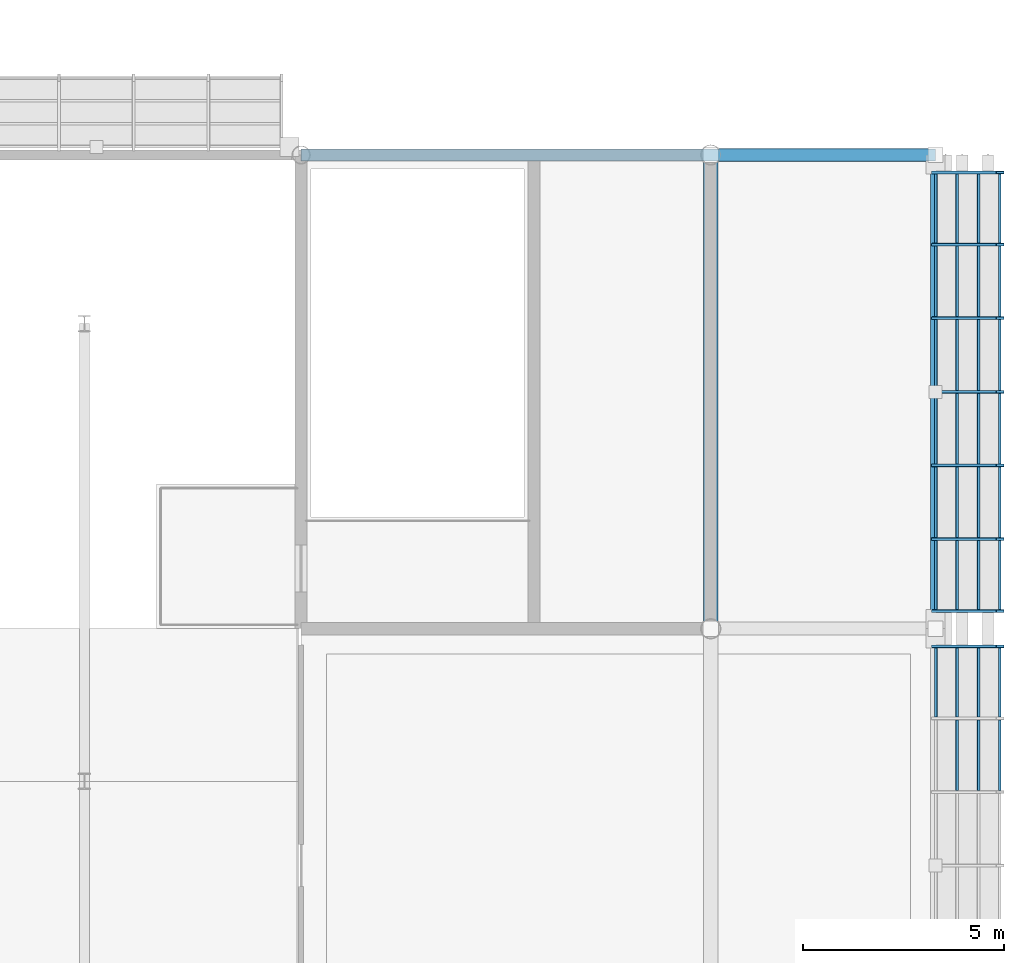
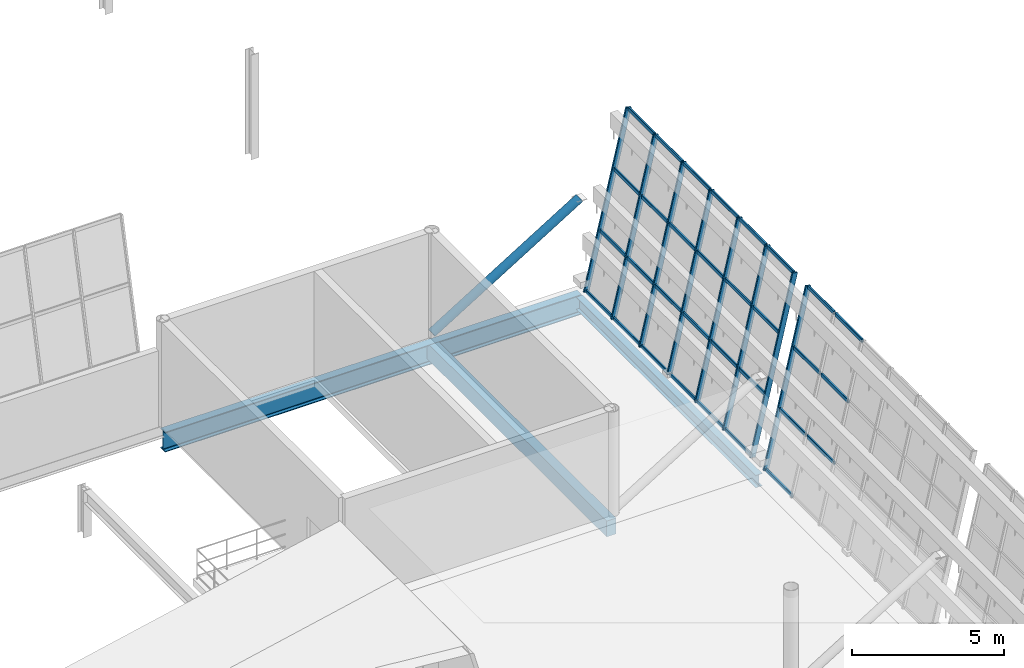
# One storey, part 85 of 157: 40 members, 3 beams, 2 elements without a shape of their own.
"""IFC4 building model written with IfcOpenShell, lengths in metres."""

from ifc_helpers import new_model, si_unit, direction, frame, origin, origin_2d, place, context, subcontext, project, spatial, rectangle, hollow_rectangle, hollow_circle, i_section, extrude, material, material_profile, profile_set, type_object, element, aggregate, save


model = new_model("IFC4")

# Units and contexts
model_context = context("Model", 3, precision=1e-05, world=origin(), true_north=direction((0.0, 1.0)))
body_context = subcontext(model_context, "Body", "Model", "MODEL_VIEW")
ifc_project = project(units=[si_unit("LENGTHUNIT", "METRE"), si_unit("AREAUNIT", "SQUARE_METRE"), si_unit("VOLUMEUNIT", "CUBIC_METRE"), si_unit("PLANEANGLEUNIT", "RADIAN"), si_unit("MASSUNIT", "GRAM", prefix="KILO")], contexts=[model_context])

# Site, building, storey
site_placement = place(None, origin())
site = spatial("IfcSite", under=ifc_project, at=site_placement, CompositionType="ELEMENT")
building_placement = place(site_placement, origin())
building = spatial("IfcBuilding", under=site, at=building_placement, Name="Brelvane Convention Centre", CompositionType="ELEMENT")
storey_placement = place(building_placement, frame((0.0, 0.0, 10.800048828125)))
storey = spatial("IfcBuildingStorey", under=building, at=storey_placement, Name="L02", CompositionType="ELEMENT", Elevation=10.800048828125)

# Curtain wall, member
ifc_material_1 = material(Name="Anodised Aluminium Alloy 6063-T6", Category="aluminium")
curtain_wall_type = type_object("IfcCurtainWallType", Name="Curtain Wall CW-PLEN-E", PredefinedType="USERDEFINED", material=ifc_material_1)
curtain_wall_1_placement = place(storey_placement, origin())
curtain_wall_1 = element("IfcCurtainWall", 1, at=curtain_wall_1_placement, inside=storey, type_object=curtain_wall_type, Name="Curtain Wall CW-PLEN-E L02-HULL-E-L02-5", ObjectType="UNITISED", PredefinedType="USERDEFINED")
ifc_material_2 = material(Name="Anodised Aluminium Alloy 6063-T6", Category="aluminium")
ifc_material_profile_1 = material_profile(ifc_material_2, hollow_rectangle(XDim=0.074951171875, YDim=0.199951171875, WallThickness=0.0048828125, InnerFilletRadius=0.0048828125, OuterFilletRadius=0.010009765625, at=origin_2d()), Name="ALU-M 200x75x5.0")
ifc_profile_set_1 = profile_set([ifc_material_profile_1], Name="Anodised Aluminium Alloy 6063-T6")
member_type_1 = type_object("IfcMemberType", Name="Curtain Mullion CW-M2", PredefinedType="MULLION", material=ifc_profile_set_1)
member_1_placement = place(storey_placement, frame((230.0, 75.5625, 0.0), z_axis=(0.228360410362, 0.0, 0.973576665178), x_axis=(0.0, 1.0, 0.0)))
member_1 = element("IfcMember", 2, at=member_1_placement, type_object=member_type_1, Name="CW-PLEN-E mullion 7", PredefinedType="MULLION", context=body_context, shape_type="SweptSolid", body=[
    extrude(hollow_rectangle(XDim=0.074951171875, YDim=0.199951171875, WallThickness=0.0048828125, InnerFilletRadius=0.0048828125, OuterFilletRadius=0.010009765625, at=origin_2d()), origin(), (0.0, 0.0, 1.0), 7.03564453125),
])

# Curtain wall, members
curtain_wall_2_placement = place(storey_placement, origin())
curtain_wall_2 = element("IfcCurtainWall", 3, at=curtain_wall_2_placement, inside=storey, type_object=curtain_wall_type, Name="Curtain Wall CW-PLEN-E L02-HULL-E-L02-6", ObjectType="UNITISED", PredefinedType="USERDEFINED")
member_2_placement = place(storey_placement, frame((230.0, 76.4375, 0.0), z_axis=(0.228360410362, 0.0, 0.973576665178), x_axis=(0.0, 1.0, 0.0)))
member_2 = element("IfcMember", 4, at=member_2_placement, type_object=member_type_1, Name="CW-PLEN-E mullion 1", PredefinedType="MULLION", context=body_context, shape_type="SweptSolid", body=[
    extrude(hollow_rectangle(XDim=0.074951171875, YDim=0.199951171875, WallThickness=0.0048828125, InnerFilletRadius=0.0048828125, OuterFilletRadius=0.010009765625, at=origin_2d()), origin(), (0.0, 0.0, 1.0), 7.03564453125),
])
member_3_placement = place(storey_placement, frame((230.0, 78.2333984375, 0.0), z_axis=(0.228360410362, 0.0, 0.973576665178), x_axis=(0.0, 1.0, 0.0)))
member_3 = element("IfcMember", 5, at=member_3_placement, type_object=member_type_1, Name="CW-PLEN-E mullion 2", PredefinedType="MULLION", context=body_context, shape_type="SweptSolid", body=[
    extrude(hollow_rectangle(XDim=0.074951171875, YDim=0.199951171875, WallThickness=0.0048828125, InnerFilletRadius=0.0048828125, OuterFilletRadius=0.010009765625, at=origin_2d()), origin(), (0.0, 0.0, 1.0), 7.03564453125),
])
member_4_placement = place(storey_placement, frame((230.0, 80.066650390625, 0.0), z_axis=(0.228360410362, 0.0, 0.973576665178), x_axis=(0.0, 1.0, 0.0)))
member_4 = element("IfcMember", 6, at=member_4_placement, type_object=member_type_1, Name="CW-PLEN-E mullion 3", PredefinedType="MULLION", context=body_context, shape_type="SweptSolid", body=[
    extrude(hollow_rectangle(XDim=0.074951171875, YDim=0.199951171875, WallThickness=0.0048828125, InnerFilletRadius=0.0048828125, OuterFilletRadius=0.010009765625, at=origin_2d()), origin(), (0.0, 0.0, 1.0), 7.03564453125),
])
member_5_placement = place(storey_placement, frame((230.0, 81.89990234375, 0.0), z_axis=(0.228360410362, 0.0, 0.973576665178), x_axis=(0.0, 1.0, 0.0)))
member_5 = element("IfcMember", 7, at=member_5_placement, type_object=member_type_1, Name="CW-PLEN-E mullion 4", PredefinedType="MULLION", context=body_context, shape_type="SweptSolid", body=[
    extrude(hollow_rectangle(XDim=0.074951171875, YDim=0.199951171875, WallThickness=0.0048828125, InnerFilletRadius=0.0048828125, OuterFilletRadius=0.010009765625, at=origin_2d()), origin(), (0.0, 0.0, 1.0), 7.03564453125),
])
member_6_placement = place(storey_placement, frame((230.0, 83.7333984375, 0.0), z_axis=(0.228360410362, 0.0, 0.973576665178), x_axis=(0.0, 1.0, 0.0)))
member_6 = element("IfcMember", 8, at=member_6_placement, type_object=member_type_1, Name="CW-PLEN-E mullion 5", PredefinedType="MULLION", context=body_context, shape_type="SweptSolid", body=[
    extrude(hollow_rectangle(XDim=0.074951171875, YDim=0.199951171875, WallThickness=0.0048828125, InnerFilletRadius=0.0048828125, OuterFilletRadius=0.010009765625, at=origin_2d()), origin(), (0.0, 0.0, 1.0), 7.03564453125),
])
member_7_placement = place(storey_placement, frame((230.0, 85.566650390625, 0.0), z_axis=(0.228360410362, 0.0, 0.973576665178), x_axis=(0.0, 1.0, 0.0)))
member_7 = element("IfcMember", 9, at=member_7_placement, type_object=member_type_1, Name="CW-PLEN-E mullion 6", PredefinedType="MULLION", context=body_context, shape_type="SweptSolid", body=[
    extrude(hollow_rectangle(XDim=0.074951171875, YDim=0.199951171875, WallThickness=0.0048828125, InnerFilletRadius=0.0048828125, OuterFilletRadius=0.010009765625, at=origin_2d()), origin(), (0.0, 0.0, 1.0), 7.03564453125),
])
member_8_placement = place(storey_placement, frame((230.0, 87.362548828125, 0.0), z_axis=(0.228360410362, 0.0, 0.973576665178), x_axis=(0.0, 1.0, 0.0)))
member_8 = element("IfcMember", 10, at=member_8_placement, type_object=member_type_1, Name="CW-PLEN-E mullion 7", PredefinedType="MULLION", context=body_context, shape_type="SweptSolid", body=[
    extrude(hollow_rectangle(XDim=0.074951171875, YDim=0.199951171875, WallThickness=0.0048828125, InnerFilletRadius=0.0048828125, OuterFilletRadius=0.010009765625, at=origin_2d()), origin(), (0.0, 0.0, 1.0), 7.03564453125),
])

# Member
ifc_material_3 = material(Name="Anodised Aluminium Alloy 6063-T6", Category="aluminium")
ifc_material_profile_2 = material_profile(ifc_material_3, hollow_rectangle(XDim=0.070068359375, YDim=0.14990234375, WallThickness=0.00439453125, InnerFilletRadius=0.00439453125, OuterFilletRadius=0.009033203125, at=origin_2d()), Name="ALU-T 150x70x4.5")
ifc_profile_set_2 = profile_set([ifc_material_profile_2], Name="Anodised Aluminium Alloy 6063-T6")
member_type_2 = type_object("IfcMemberType", Name="Curtain Transom CW-T2", PredefinedType="USERDEFINED", material=ifc_profile_set_2)
member_9_placement = place(storey_placement, frame((230.53564453125, 71.970947265625, 2.283203125), z_axis=(0.0, 1.0, 0.0), x_axis=(-1.0, 0.0, 0.0)))
member_9 = element("IfcMember", 11, at=member_9_placement, type_object=member_type_2, Name="CW-PLEN-E transom 5.2", ObjectType="TRANSOM", PredefinedType="USERDEFINED", context=body_context, shape_type="SweptSolid", body=[
    extrude(hollow_rectangle(XDim=0.070068359375, YDim=0.14990234375, WallThickness=0.00439453125, InnerFilletRadius=0.00439453125, OuterFilletRadius=0.009033203125, at=origin_2d()), origin(), (0.0, 0.0, 1.0), 1.75830078125),
])

member_10_placement = place(storey_placement, frame((231.071044921875, 71.970947265625, 4.566650390625), z_axis=(0.0, 1.0, 0.0), x_axis=(-1.0, 0.0, 0.0)))
member_10 = element("IfcMember", 12, at=member_10_placement, type_object=member_type_2, Name="CW-PLEN-E transom 5.3", ObjectType="TRANSOM", PredefinedType="USERDEFINED", context=body_context, shape_type="SweptSolid", body=[
    extrude(hollow_rectangle(XDim=0.070068359375, YDim=0.14990234375, WallThickness=0.00439453125, InnerFilletRadius=0.00439453125, OuterFilletRadius=0.009033203125, at=origin_2d()), origin(), (0.0, 0.0, 1.0), 1.75830078125),
])

member_11_placement = place(storey_placement, frame((231.598388671875, 71.970947265625, 6.81494140625), z_axis=(0.0, 1.0, 0.0), x_axis=(-1.0, 0.0, 0.0)))
member_11 = element("IfcMember", 13, at=member_11_placement, type_object=member_type_2, Name="CW-PLEN-E transom 5.4", ObjectType="TRANSOM", PredefinedType="USERDEFINED", context=body_context, shape_type="SweptSolid", body=[
    extrude(hollow_rectangle(XDim=0.070068359375, YDim=0.14990234375, WallThickness=0.00439453125, InnerFilletRadius=0.00439453125, OuterFilletRadius=0.009033203125, at=origin_2d()), origin(), (0.0, 0.0, 1.0), 1.75830078125),
])

member_12_placement = place(storey_placement, frame((230.00830078125, 73.80419921875, 0.034912109375), z_axis=(0.0, 1.0, 0.0), x_axis=(-1.0, 0.0, 0.0)))
member_12 = element("IfcMember", 14, at=member_12_placement, type_object=member_type_2, Name="CW-PLEN-E transom 6.1", ObjectType="TRANSOM", PredefinedType="USERDEFINED", context=body_context, shape_type="SweptSolid", body=[
    extrude(hollow_rectangle(XDim=0.070068359375, YDim=0.14990234375, WallThickness=0.00439453125, InnerFilletRadius=0.00439453125, OuterFilletRadius=0.009033203125, at=origin_2d()), origin(), (0.0, 0.0, 1.0), 1.720703125),
])

member_13_placement = place(storey_placement, frame((230.53564453125, 73.80419921875, 2.283203125), z_axis=(0.0, 1.0, 0.0), x_axis=(-1.0, 0.0, 0.0)))
member_13 = element("IfcMember", 15, at=member_13_placement, type_object=member_type_2, Name="CW-PLEN-E transom 6.2", ObjectType="TRANSOM", PredefinedType="USERDEFINED", context=body_context, shape_type="SweptSolid", body=[
    extrude(hollow_rectangle(XDim=0.070068359375, YDim=0.14990234375, WallThickness=0.00439453125, InnerFilletRadius=0.00439453125, OuterFilletRadius=0.009033203125, at=origin_2d()), origin(), (0.0, 0.0, 1.0), 1.720703125),
])

member_14_placement = place(storey_placement, frame((231.071044921875, 73.80419921875, 4.566650390625), z_axis=(0.0, 1.0, 0.0), x_axis=(-1.0, 0.0, 0.0)))
member_14 = element("IfcMember", 16, at=member_14_placement, type_object=member_type_2, Name="CW-PLEN-E transom 6.3", ObjectType="TRANSOM", PredefinedType="USERDEFINED", context=body_context, shape_type="SweptSolid", body=[
    extrude(hollow_rectangle(XDim=0.070068359375, YDim=0.14990234375, WallThickness=0.00439453125, InnerFilletRadius=0.00439453125, OuterFilletRadius=0.009033203125, at=origin_2d()), origin(), (0.0, 0.0, 1.0), 1.720703125),
])

member_15_placement = place(storey_placement, frame((231.598388671875, 73.80419921875, 6.81494140625), z_axis=(0.0, 1.0, 0.0), x_axis=(-1.0, 0.0, 0.0)))
member_15 = element("IfcMember", 17, at=member_15_placement, type_object=member_type_2, Name="CW-PLEN-E transom 6.4", ObjectType="TRANSOM", PredefinedType="USERDEFINED", context=body_context, shape_type="SweptSolid", body=[
    extrude(hollow_rectangle(XDim=0.070068359375, YDim=0.14990234375, WallThickness=0.00439453125, InnerFilletRadius=0.00439453125, OuterFilletRadius=0.009033203125, at=origin_2d()), origin(), (0.0, 0.0, 1.0), 1.720703125),
])

aggregate(curtain_wall_1, [member_1, member_9, member_10, member_11, member_12, member_13, member_14, member_15])

member_16_placement = place(storey_placement, frame((230.00830078125, 76.47509765625, 0.034912109375), z_axis=(0.0, 1.0, 0.0), x_axis=(-1.0, 0.0, 0.0)))
member_16 = element("IfcMember", 18, at=member_16_placement, type_object=member_type_2, Name="CW-PLEN-E transom 1.1", ObjectType="TRANSOM", PredefinedType="USERDEFINED", context=body_context, shape_type="SweptSolid", body=[
    extrude(hollow_rectangle(XDim=0.070068359375, YDim=0.14990234375, WallThickness=0.00439453125, InnerFilletRadius=0.00439453125, OuterFilletRadius=0.009033203125, at=origin_2d()), origin(), (0.0, 0.0, 1.0), 1.720703125),
])

member_17_placement = place(storey_placement, frame((230.53564453125, 76.47509765625, 2.283203125), z_axis=(0.0, 1.0, 0.0), x_axis=(-1.0, 0.0, 0.0)))
member_17 = element("IfcMember", 19, at=member_17_placement, type_object=member_type_2, Name="CW-PLEN-E transom 1.2", ObjectType="TRANSOM", PredefinedType="USERDEFINED", context=body_context, shape_type="SweptSolid", body=[
    extrude(hollow_rectangle(XDim=0.070068359375, YDim=0.14990234375, WallThickness=0.00439453125, InnerFilletRadius=0.00439453125, OuterFilletRadius=0.009033203125, at=origin_2d()), origin(), (0.0, 0.0, 1.0), 1.720703125),
])

member_18_placement = place(storey_placement, frame((231.071044921875, 76.47509765625, 4.566650390625), z_axis=(0.0, 1.0, 0.0), x_axis=(-1.0, 0.0, 0.0)))
member_18 = element("IfcMember", 20, at=member_18_placement, type_object=member_type_2, Name="CW-PLEN-E transom 1.3", ObjectType="TRANSOM", PredefinedType="USERDEFINED", context=body_context, shape_type="SweptSolid", body=[
    extrude(hollow_rectangle(XDim=0.070068359375, YDim=0.14990234375, WallThickness=0.00439453125, InnerFilletRadius=0.00439453125, OuterFilletRadius=0.009033203125, at=origin_2d()), origin(), (0.0, 0.0, 1.0), 1.720703125),
])

member_19_placement = place(storey_placement, frame((231.598388671875, 76.47509765625, 6.81494140625), z_axis=(0.0, 1.0, 0.0), x_axis=(-1.0, 0.0, 0.0)))
member_19 = element("IfcMember", 21, at=member_19_placement, type_object=member_type_2, Name="CW-PLEN-E transom 1.4", ObjectType="TRANSOM", PredefinedType="USERDEFINED", context=body_context, shape_type="SweptSolid", body=[
    extrude(hollow_rectangle(XDim=0.070068359375, YDim=0.14990234375, WallThickness=0.00439453125, InnerFilletRadius=0.00439453125, OuterFilletRadius=0.009033203125, at=origin_2d()), origin(), (0.0, 0.0, 1.0), 1.720703125),
])

member_20_placement = place(storey_placement, frame((230.00830078125, 78.270751953125, 0.034912109375), z_axis=(0.0, 1.0, 0.0), x_axis=(-1.0, 0.0, 0.0)))
member_20 = element("IfcMember", 22, at=member_20_placement, type_object=member_type_2, Name="CW-PLEN-E transom 2.1", ObjectType="TRANSOM", PredefinedType="USERDEFINED", context=body_context, shape_type="SweptSolid", body=[
    extrude(hollow_rectangle(XDim=0.070068359375, YDim=0.14990234375, WallThickness=0.00439453125, InnerFilletRadius=0.00439453125, OuterFilletRadius=0.009033203125, at=origin_2d()), origin(), (0.0, 0.0, 1.0), 1.75830078125),
])

member_21_placement = place(storey_placement, frame((230.53564453125, 78.270751953125, 2.283203125), z_axis=(0.0, 1.0, 0.0), x_axis=(-1.0, 0.0, 0.0)))
member_21 = element("IfcMember", 23, at=member_21_placement, type_object=member_type_2, Name="CW-PLEN-E transom 2.2", ObjectType="TRANSOM", PredefinedType="USERDEFINED", context=body_context, shape_type="SweptSolid", body=[
    extrude(hollow_rectangle(XDim=0.070068359375, YDim=0.14990234375, WallThickness=0.00439453125, InnerFilletRadius=0.00439453125, OuterFilletRadius=0.009033203125, at=origin_2d()), origin(), (0.0, 0.0, 1.0), 1.75830078125),
])

member_22_placement = place(storey_placement, frame((231.071044921875, 78.270751953125, 4.566650390625), z_axis=(0.0, 1.0, 0.0), x_axis=(-1.0, 0.0, 0.0)))
member_22 = element("IfcMember", 24, at=member_22_placement, type_object=member_type_2, Name="CW-PLEN-E transom 2.3", ObjectType="TRANSOM", PredefinedType="USERDEFINED", context=body_context, shape_type="SweptSolid", body=[
    extrude(hollow_rectangle(XDim=0.070068359375, YDim=0.14990234375, WallThickness=0.00439453125, InnerFilletRadius=0.00439453125, OuterFilletRadius=0.009033203125, at=origin_2d()), origin(), (0.0, 0.0, 1.0), 1.75830078125),
])

member_23_placement = place(storey_placement, frame((231.598388671875, 78.270751953125, 6.81494140625), z_axis=(0.0, 1.0, 0.0), x_axis=(-1.0, 0.0, 0.0)))
member_23 = element("IfcMember", 25, at=member_23_placement, type_object=member_type_2, Name="CW-PLEN-E transom 2.4", ObjectType="TRANSOM", PredefinedType="USERDEFINED", context=body_context, shape_type="SweptSolid", body=[
    extrude(hollow_rectangle(XDim=0.070068359375, YDim=0.14990234375, WallThickness=0.00439453125, InnerFilletRadius=0.00439453125, OuterFilletRadius=0.009033203125, at=origin_2d()), origin(), (0.0, 0.0, 1.0), 1.75830078125),
])

member_24_placement = place(storey_placement, frame((230.00830078125, 80.104248046875, 0.034912109375), z_axis=(0.0, 1.0, 0.0), x_axis=(-1.0, 0.0, 0.0)))
member_24 = element("IfcMember", 26, at=member_24_placement, type_object=member_type_2, Name="CW-PLEN-E transom 3.1", ObjectType="TRANSOM", PredefinedType="USERDEFINED", context=body_context, shape_type="SweptSolid", body=[
    extrude(hollow_rectangle(XDim=0.070068359375, YDim=0.14990234375, WallThickness=0.00439453125, InnerFilletRadius=0.00439453125, OuterFilletRadius=0.009033203125, at=origin_2d()), origin(), (0.0, 0.0, 1.0), 1.75830078125),
])

member_25_placement = place(storey_placement, frame((230.53564453125, 80.104248046875, 2.283203125), z_axis=(0.0, 1.0, 0.0), x_axis=(-1.0, 0.0, 0.0)))
member_25 = element("IfcMember", 27, at=member_25_placement, type_object=member_type_2, Name="CW-PLEN-E transom 3.2", ObjectType="TRANSOM", PredefinedType="USERDEFINED", context=body_context, shape_type="SweptSolid", body=[
    extrude(hollow_rectangle(XDim=0.070068359375, YDim=0.14990234375, WallThickness=0.00439453125, InnerFilletRadius=0.00439453125, OuterFilletRadius=0.009033203125, at=origin_2d()), origin(), (0.0, 0.0, 1.0), 1.75830078125),
])

member_26_placement = place(storey_placement, frame((231.071044921875, 80.104248046875, 4.566650390625), z_axis=(0.0, 1.0, 0.0), x_axis=(-1.0, 0.0, 0.0)))
member_26 = element("IfcMember", 28, at=member_26_placement, type_object=member_type_2, Name="CW-PLEN-E transom 3.3", ObjectType="TRANSOM", PredefinedType="USERDEFINED", context=body_context, shape_type="SweptSolid", body=[
    extrude(hollow_rectangle(XDim=0.070068359375, YDim=0.14990234375, WallThickness=0.00439453125, InnerFilletRadius=0.00439453125, OuterFilletRadius=0.009033203125, at=origin_2d()), origin(), (0.0, 0.0, 1.0), 1.75830078125),
])

member_27_placement = place(storey_placement, frame((231.598388671875, 80.104248046875, 6.81494140625), z_axis=(0.0, 1.0, 0.0), x_axis=(-1.0, 0.0, 0.0)))
member_27 = element("IfcMember", 29, at=member_27_placement, type_object=member_type_2, Name="CW-PLEN-E transom 3.4", ObjectType="TRANSOM", PredefinedType="USERDEFINED", context=body_context, shape_type="SweptSolid", body=[
    extrude(hollow_rectangle(XDim=0.070068359375, YDim=0.14990234375, WallThickness=0.00439453125, InnerFilletRadius=0.00439453125, OuterFilletRadius=0.009033203125, at=origin_2d()), origin(), (0.0, 0.0, 1.0), 1.75830078125),
])

member_28_placement = place(storey_placement, frame((230.00830078125, 81.9375, 0.034912109375), z_axis=(0.0, 1.0, 0.0), x_axis=(-1.0, 0.0, 0.0)))
member_28 = element("IfcMember", 30, at=member_28_placement, type_object=member_type_2, Name="CW-PLEN-E transom 4.1", ObjectType="TRANSOM", PredefinedType="USERDEFINED", context=body_context, shape_type="SweptSolid", body=[
    extrude(hollow_rectangle(XDim=0.070068359375, YDim=0.14990234375, WallThickness=0.00439453125, InnerFilletRadius=0.00439453125, OuterFilletRadius=0.009033203125, at=origin_2d()), origin(), (0.0, 0.0, 1.0), 1.75830078125),
])

member_29_placement = place(storey_placement, frame((230.53564453125, 81.9375, 2.283203125), z_axis=(0.0, 1.0, 0.0), x_axis=(-1.0, 0.0, 0.0)))
member_29 = element("IfcMember", 31, at=member_29_placement, type_object=member_type_2, Name="CW-PLEN-E transom 4.2", ObjectType="TRANSOM", PredefinedType="USERDEFINED", context=body_context, shape_type="SweptSolid", body=[
    extrude(hollow_rectangle(XDim=0.070068359375, YDim=0.14990234375, WallThickness=0.00439453125, InnerFilletRadius=0.00439453125, OuterFilletRadius=0.009033203125, at=origin_2d()), origin(), (0.0, 0.0, 1.0), 1.75830078125),
])

member_30_placement = place(storey_placement, frame((231.071044921875, 81.9375, 4.566650390625), z_axis=(0.0, 1.0, 0.0), x_axis=(-1.0, 0.0, 0.0)))
member_30 = element("IfcMember", 32, at=member_30_placement, type_object=member_type_2, Name="CW-PLEN-E transom 4.3", ObjectType="TRANSOM", PredefinedType="USERDEFINED", context=body_context, shape_type="SweptSolid", body=[
    extrude(hollow_rectangle(XDim=0.070068359375, YDim=0.14990234375, WallThickness=0.00439453125, InnerFilletRadius=0.00439453125, OuterFilletRadius=0.009033203125, at=origin_2d()), origin(), (0.0, 0.0, 1.0), 1.75830078125),
])

member_31_placement = place(storey_placement, frame((231.598388671875, 81.9375, 6.81494140625), z_axis=(0.0, 1.0, 0.0), x_axis=(-1.0, 0.0, 0.0)))
member_31 = element("IfcMember", 33, at=member_31_placement, type_object=member_type_2, Name="CW-PLEN-E transom 4.4", ObjectType="TRANSOM", PredefinedType="USERDEFINED", context=body_context, shape_type="SweptSolid", body=[
    extrude(hollow_rectangle(XDim=0.070068359375, YDim=0.14990234375, WallThickness=0.00439453125, InnerFilletRadius=0.00439453125, OuterFilletRadius=0.009033203125, at=origin_2d()), origin(), (0.0, 0.0, 1.0), 1.75830078125),
])

member_32_placement = place(storey_placement, frame((230.00830078125, 83.770751953125, 0.034912109375), z_axis=(0.0, 1.0, 0.0), x_axis=(-1.0, 0.0, 0.0)))
member_32 = element("IfcMember", 34, at=member_32_placement, type_object=member_type_2, Name="CW-PLEN-E transom 5.1", ObjectType="TRANSOM", PredefinedType="USERDEFINED", context=body_context, shape_type="SweptSolid", body=[
    extrude(hollow_rectangle(XDim=0.070068359375, YDim=0.14990234375, WallThickness=0.00439453125, InnerFilletRadius=0.00439453125, OuterFilletRadius=0.009033203125, at=origin_2d()), origin(), (0.0, 0.0, 1.0), 1.75830078125),
])

member_33_placement = place(storey_placement, frame((230.53564453125, 83.770751953125, 2.283203125), z_axis=(0.0, 1.0, 0.0), x_axis=(-1.0, 0.0, 0.0)))
member_33 = element("IfcMember", 35, at=member_33_placement, type_object=member_type_2, Name="CW-PLEN-E transom 5.2", ObjectType="TRANSOM", PredefinedType="USERDEFINED", context=body_context, shape_type="SweptSolid", body=[
    extrude(hollow_rectangle(XDim=0.070068359375, YDim=0.14990234375, WallThickness=0.00439453125, InnerFilletRadius=0.00439453125, OuterFilletRadius=0.009033203125, at=origin_2d()), origin(), (0.0, 0.0, 1.0), 1.75830078125),
])

member_34_placement = place(storey_placement, frame((231.071044921875, 83.770751953125, 4.566650390625), z_axis=(0.0, 1.0, 0.0), x_axis=(-1.0, 0.0, 0.0)))
member_34 = element("IfcMember", 36, at=member_34_placement, type_object=member_type_2, Name="CW-PLEN-E transom 5.3", ObjectType="TRANSOM", PredefinedType="USERDEFINED", context=body_context, shape_type="SweptSolid", body=[
    extrude(hollow_rectangle(XDim=0.070068359375, YDim=0.14990234375, WallThickness=0.00439453125, InnerFilletRadius=0.00439453125, OuterFilletRadius=0.009033203125, at=origin_2d()), origin(), (0.0, 0.0, 1.0), 1.75830078125),
])

member_35_placement = place(storey_placement, frame((231.598388671875, 83.770751953125, 6.81494140625), z_axis=(0.0, 1.0, 0.0), x_axis=(-1.0, 0.0, 0.0)))
member_35 = element("IfcMember", 37, at=member_35_placement, type_object=member_type_2, Name="CW-PLEN-E transom 5.4", ObjectType="TRANSOM", PredefinedType="USERDEFINED", context=body_context, shape_type="SweptSolid", body=[
    extrude(hollow_rectangle(XDim=0.070068359375, YDim=0.14990234375, WallThickness=0.00439453125, InnerFilletRadius=0.00439453125, OuterFilletRadius=0.009033203125, at=origin_2d()), origin(), (0.0, 0.0, 1.0), 1.75830078125),
])

member_36_placement = place(storey_placement, frame((230.00830078125, 85.604248046875, 0.034912109375), z_axis=(0.0, 1.0, 0.0), x_axis=(-1.0, 0.0, 0.0)))
member_36 = element("IfcMember", 38, at=member_36_placement, type_object=member_type_2, Name="CW-PLEN-E transom 6.1", ObjectType="TRANSOM", PredefinedType="USERDEFINED", context=body_context, shape_type="SweptSolid", body=[
    extrude(hollow_rectangle(XDim=0.070068359375, YDim=0.14990234375, WallThickness=0.00439453125, InnerFilletRadius=0.00439453125, OuterFilletRadius=0.009033203125, at=origin_2d()), origin(), (0.0, 0.0, 1.0), 1.720703125),
])

member_37_placement = place(storey_placement, frame((230.53564453125, 85.604248046875, 2.283203125), z_axis=(0.0, 1.0, 0.0), x_axis=(-1.0, 0.0, 0.0)))
member_37 = element("IfcMember", 39, at=member_37_placement, type_object=member_type_2, Name="CW-PLEN-E transom 6.2", ObjectType="TRANSOM", PredefinedType="USERDEFINED", context=body_context, shape_type="SweptSolid", body=[
    extrude(hollow_rectangle(XDim=0.070068359375, YDim=0.14990234375, WallThickness=0.00439453125, InnerFilletRadius=0.00439453125, OuterFilletRadius=0.009033203125, at=origin_2d()), origin(), (0.0, 0.0, 1.0), 1.720703125),
])

member_38_placement = place(storey_placement, frame((231.071044921875, 85.604248046875, 4.566650390625), z_axis=(0.0, 1.0, 0.0), x_axis=(-1.0, 0.0, 0.0)))
member_38 = element("IfcMember", 40, at=member_38_placement, type_object=member_type_2, Name="CW-PLEN-E transom 6.3", ObjectType="TRANSOM", PredefinedType="USERDEFINED", context=body_context, shape_type="SweptSolid", body=[
    extrude(hollow_rectangle(XDim=0.070068359375, YDim=0.14990234375, WallThickness=0.00439453125, InnerFilletRadius=0.00439453125, OuterFilletRadius=0.009033203125, at=origin_2d()), origin(), (0.0, 0.0, 1.0), 1.720703125),
])

member_39_placement = place(storey_placement, frame((231.598388671875, 85.604248046875, 6.81494140625), z_axis=(0.0, 1.0, 0.0), x_axis=(-1.0, 0.0, 0.0)))
member_39 = element("IfcMember", 41, at=member_39_placement, type_object=member_type_2, Name="CW-PLEN-E transom 6.4", ObjectType="TRANSOM", PredefinedType="USERDEFINED", context=body_context, shape_type="SweptSolid", body=[
    extrude(hollow_rectangle(XDim=0.070068359375, YDim=0.14990234375, WallThickness=0.00439453125, InnerFilletRadius=0.00439453125, OuterFilletRadius=0.009033203125, at=origin_2d()), origin(), (0.0, 0.0, 1.0), 1.720703125),
])

aggregate(curtain_wall_2, [member_2, member_3, member_4, member_5, member_6, member_7, member_8, member_16, member_17, member_18, member_19, member_20, member_21, member_22, member_23, member_24, member_25, member_26, member_27, member_28, member_29, member_30, member_31, member_32, member_33, member_34, member_35, member_36, member_37, member_38, member_39])

# Beams
ifc_material_4 = material(Name="Concrete M40", Category="concrete")
ifc_material_profile_3 = material_profile(ifc_material_4, rectangle(XDim=0.360107421875, YDim=0.639892578125, at=origin_2d()), Name="RC 360x640")
ifc_profile_set_3 = profile_set([ifc_material_profile_3], Name="Concrete M40")
beam_type_1 = type_object("IfcBeamType", Name="RC Spandrel SP-RC3 (RC 360x640)", PredefinedType="SPANDREL", material=ifc_profile_set_3)
beam_1_placement = place(storey_placement, frame((224.39990234375, 76.0, -0.60009765625), z_axis=(0.0, 1.0, 0.0), x_axis=(-1.0, 0.0, 0.0)))
element("IfcBeam", 42, at=beam_1_placement, inside=storey, type_object=beam_type_1, Name="L02 Girder 23/H-J", PredefinedType="SPANDREL", context=body_context, shape_type="SweptSolid", body=[
    extrude(rectangle(XDim=0.360107421875, YDim=0.639892578125, at=origin_2d()), origin(), (0.0, 0.0, 1.0), 11.800048828125),
])
ifc_material_5 = material(Name="Steel E450 (450 MPa)", Category="steel")
ifc_material_profile_4 = material_profile(ifc_material_5, i_section(OverallWidth=0.300048828125, OverallDepth=0.800048828125, WebThickness=0.015380859375, FlangeThickness=0.030029296875, FilletRadius=0.027099609375, at=origin_2d()), Name="NPB 800x300")
ifc_profile_set_4 = profile_set([ifc_material_profile_4], Name="Steel E450 (450 MPa)")
beam_type_2 = type_object("IfcBeamType", Name="Steel Beam B-ST2 (NPB 800x300)", PredefinedType="BEAM", material=ifc_profile_set_4)
beam_2_placement = place(storey_placement, frame((214.199951171875, 87.800048828125, -0.679931640625), z_axis=(1.0, 0.0, 0.0), x_axis=(0.0, 1.0, 0.0)))
element("IfcBeam", 43, at=beam_2_placement, inside=storey, type_object=beam_type_2, Name="L02 Plenary East Cantilever Girder Y87", PredefinedType="BEAM", context=body_context, shape_type="SweptSolid", body=[
    extrude(i_section(OverallWidth=0.300048828125, OverallDepth=0.800048828125, WebThickness=0.015380859375, FlangeThickness=0.030029296875, FilletRadius=0.027099609375, at=origin_2d()), origin(), (0.0, 0.0, 1.0), 15.800048828125),
])
ifc_material_6 = material(Name="Steel E350 (350 MPa)", Category="steel")
ifc_material_profile_5 = material_profile(ifc_material_6, i_section(OverallWidth=0.25, OverallDepth=0.5, WebThickness=0.010009765625, FlangeThickness=0.0146484375, FilletRadius=0.01611328125, at=origin_2d()), Name="ISWB 500")
ifc_profile_set_5 = profile_set([ifc_material_profile_5], Name="Steel E350 (350 MPa)")
beam_type_3 = type_object("IfcBeamType", Name="Steel Spandrel SP-ST1 (ISWB 500)", PredefinedType="SPANDREL", material=ifc_profile_set_5)
beam_3_placement = place(storey_placement, frame((230.0, 76.0, -0.679931640625), z_axis=(0.0, 1.0, 0.0), x_axis=(-1.0, 0.0, 0.0)))
element("IfcBeam", 44, at=beam_3_placement, inside=storey, type_object=beam_type_3, Name="L02 Plenary Overhang Tip Spandrel 6", PredefinedType="SPANDREL", context=body_context, shape_type="SweptSolid", body=[
    extrude(i_section(OverallWidth=0.25, OverallDepth=0.5, WebThickness=0.010009765625, FlangeThickness=0.0146484375, FilletRadius=0.01611328125, at=origin_2d()), origin(), (0.0, 0.0, 1.0), 11.800048828125),
])

# Member
ifc_material_7 = material(Name="Steel E450 (450 MPa)", Category="steel")
ifc_material_profile_6 = material_profile(ifc_material_7, hollow_circle(Radius=0.161865234375, WallThickness=0.012451171875, at=origin_2d()), Name="CHS 323.9x12.5")
ifc_profile_set_6 = profile_set([ifc_material_profile_6], Name="Steel E450 (450 MPa)")
member_type_3 = type_object("IfcMemberType", Name="Steel Strut HS-ST2 (CHS 323.9x12.5)", PredefinedType="STRUT", material=ifc_profile_set_6)
member_40_placement = place(storey_placement, frame((224.39990234375, 87.800048828125, 0.050048828125), z_axis=(0.851404606283, 0.0, 0.524509481707), x_axis=(0.0, 1.0, 0.0)))
element("IfcMember", 45, at=member_40_placement, inside=storey, type_object=member_type_3, Name="Plenary East Overhang Raked Strut L03 Y87", PredefinedType="STRUT", context=body_context, shape_type="SweptSolid", body=[
    extrude(hollow_circle(Radius=0.161865234375, WallThickness=0.012451171875, at=origin_2d()), origin(), (0.0, 0.0, 1.0), 6.577392578125),
])

save(model, "model.ifc")
